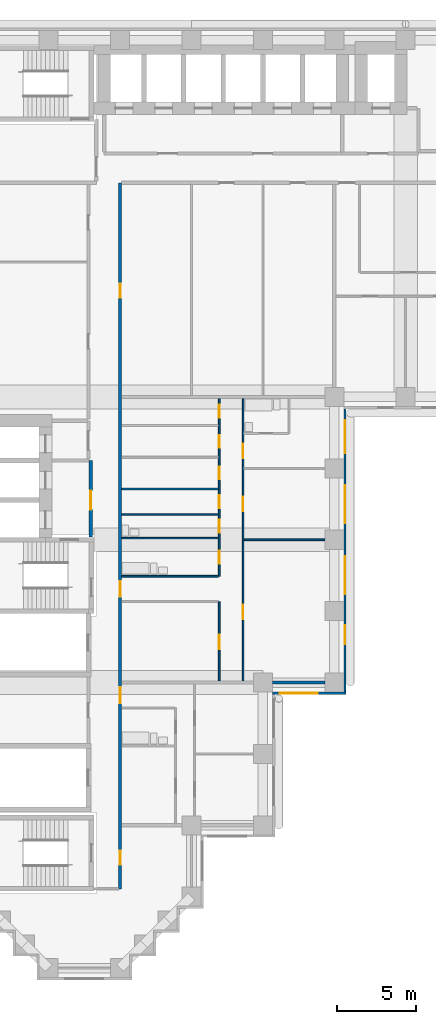
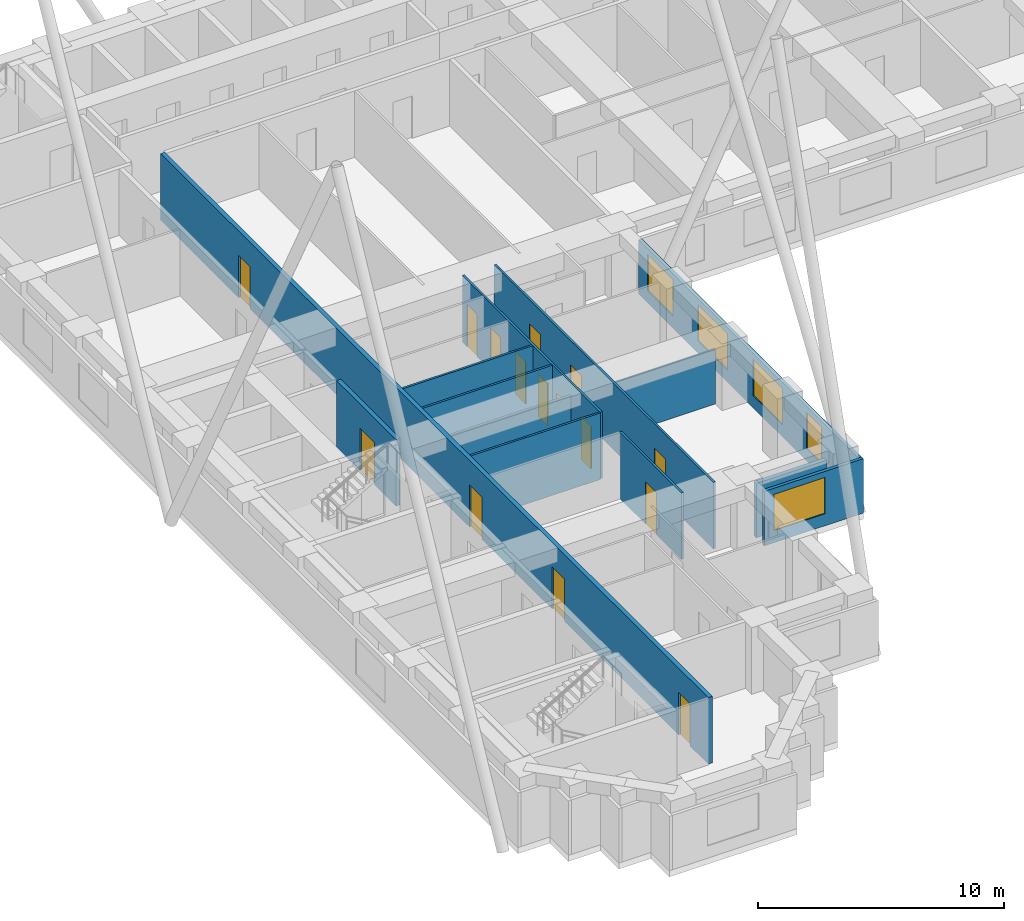
# One storey, part 4 of 12: 15 doors, 13 walls, 5 windows, 20 openings.
"""IFC4 building model written with IfcOpenShell, lengths in metres."""

from ifc_helpers import new_model, si_unit, direction, frame, frame_2d, origin, place, context, subcontext, project, spatial, rectangle, extrude, material, layer, layer_set, type_object, element, fill, save


model = new_model("IFC4")

# Units and contexts
model_context = context("Model", 3, precision=1e-05, world=origin(), true_north=direction((0.0, 1.0)))
body_context = subcontext(model_context, "Body", "Model", "MODEL_VIEW")
ifc_project = project(units=[si_unit("LENGTHUNIT", "METRE"), si_unit("AREAUNIT", "SQUARE_METRE"), si_unit("VOLUMEUNIT", "CUBIC_METRE"), si_unit("PLANEANGLEUNIT", "RADIAN"), si_unit("MASSUNIT", "GRAM", prefix="KILO")], contexts=[model_context])

# Site, building, storey
site_placement = place(None, origin())
site = spatial("IfcSite", under=ifc_project, at=site_placement, CompositionType="ELEMENT")
building_placement = place(site_placement, origin())
building = spatial("IfcBuilding", under=site, at=building_placement, Name="Firuza Court", CompositionType="ELEMENT")
storey_placement = place(building_placement, frame((0.0, 0.0, 93.800048828125)))
storey = spatial("IfcBuildingStorey", under=building, at=storey_placement, Name="L23", CompositionType="ELEMENT", Elevation=93.800048828125)

# Walls
ifc_material_1 = material(Name="Moisture-resistant gypsum board partition")
ifc_layer_1 = layer(ifc_material_1, 0.10009765625)
ifc_layer_set_1 = layer_set([ifc_layer_1], Name="Moisture-resistant gypsum board partition")
wall_type_1 = type_object("IfcWallType", Name="Bathroom partition 100", PredefinedType="PLUMBINGWALL", material=ifc_layer_set_1)
wall_1_placement = place(storey_placement, frame((9.10009765625, 24.699951171875, 0.0), z_axis=(0.0, 0.0, 1.0), x_axis=(1.0, 0.0, 0.0)))
element("IfcWall", 1, at=wall_1_placement, inside=storey, type_object=wall_type_1, Name="Bathroom partition 100 L23", PredefinedType="PLUMBINGWALL", context=body_context, shape_type="SweptSolid", body=[
    extrude(rectangle(XDim=6.099853515625, YDim=0.10009765625, at=frame_2d((3.0498046875, 0.0))), origin(), (0.0, 0.0, 1.0), 3.300048828125),
])
wall_2_placement = place(storey_placement, frame((9.10009765625, 27.10009765625, 0.0), z_axis=(0.0, 0.0, 1.0), x_axis=(1.0, 0.0, 0.0)))
element("IfcWall", 2, at=wall_2_placement, inside=storey, type_object=wall_type_1, Name="Bathroom partition 100 L23", PredefinedType="PLUMBINGWALL", context=body_context, shape_type="SweptSolid", body=[
    extrude(rectangle(XDim=6.099853515625, YDim=0.10009765625, at=frame_2d((3.0498046875, 0.0))), origin(), (0.0, 0.0, 1.0), 2.699951171875),
])
wall_3_placement = place(storey_placement, frame((9.10009765625, 28.60009765625, 0.0), z_axis=(0.0, 0.0, 1.0), x_axis=(1.0, 0.0, 0.0)))
element("IfcWall", 3, at=wall_3_placement, inside=storey, type_object=wall_type_1, Name="Bathroom partition 100 L23", PredefinedType="PLUMBINGWALL", context=body_context, shape_type="SweptSolid", body=[
    extrude(rectangle(XDim=6.099853515625, YDim=0.10009765625, at=frame_2d((3.0498046875, 0.0))), origin(), (0.0, 0.0, 1.0), 3.300048828125),
])

# Wall, openings, doors
ifc_material_2 = material(Name="Blockwork, plastered both sides", Category="masonry")
ifc_layer_2 = layer(ifc_material_2, 0.199951171875)
ifc_layer_set_2 = layer_set([ifc_layer_2], Name="Blockwork, plastered both sides")
wall_type_2 = type_object("IfcWallType", Name="Corridor wall 200", PredefinedType="PARTITIONING", material=ifc_layer_set_2)
wall_4_placement = place(storey_placement, frame((9.0, 5.0, 0.0), z_axis=(0.0, 0.0, 1.0), x_axis=(0.0, 1.0, 0.0)))
wall_4 = element("IfcWall", 4, at=wall_4_placement, inside=storey, type_object=wall_type_2, Name="Corridor wall 200 L23", PredefinedType="PARTITIONING", context=body_context, shape_type="SweptSolid", body=[
    extrude(rectangle(XDim=44.5, YDim=0.199951171875, at=frame_2d((22.25, 0.0))), origin(), (0.0, 0.0, 1.0), 3.300048828125),
])
opening_1_placement = place(wall_4_placement, frame((18.39990234375, 0.0, 0.0)))
opening_1 = element("IfcOpeningElement", 5, at=opening_1_placement, cuts=wall_4, Name="Opening D23019", PredefinedType="OPENING", context=body_context, shape_type="SweptSolid", body=[
    extrude(rectangle(XDim=1.0, YDim=2.10009765625, at=frame_2d((0.5, 1.050048828125))), frame((0.0, 0.11181640625, 0.0), z_axis=(0.0, -1.0, 0.0), x_axis=(1.0, 0.0, 0.0)), (0.0, 0.0, 1.0), 0.223876953125),
])
opening_2_placement = place(wall_4_placement, frame((11.699951171875, 0.0, 0.0)))
opening_2 = element("IfcOpeningElement", 6, at=opening_2_placement, cuts=wall_4, Name="Opening D23020", PredefinedType="OPENING", context=body_context, shape_type="SweptSolid", body=[
    extrude(rectangle(XDim=1.0, YDim=2.10009765625, at=frame_2d((0.5, 1.050048828125))), frame((0.0, 0.11181640625, 0.0), z_axis=(0.0, -1.0, 0.0), x_axis=(1.0, 0.0, 0.0)), (0.0, 0.0, 1.0), 0.223876953125),
])
opening_3_placement = place(wall_4_placement, frame((37.25, 0.0, 0.0)))
opening_3 = element("IfcOpeningElement", 7, at=opening_3_placement, cuts=wall_4, Name="Opening D23021", PredefinedType="OPENING", context=body_context, shape_type="SweptSolid", body=[
    extrude(rectangle(XDim=0.89990234375, YDim=2.10009765625, at=frame_2d((0.449951171875, 1.050048828125))), frame((0.0, 0.11181640625, 0.0), z_axis=(0.0, -1.0, 0.0), x_axis=(1.0, 0.0, 0.0)), (0.0, 0.0, 1.0), 0.223876953125),
])
opening_4_placement = place(wall_4_placement, frame((1.5, 0.0, 0.0)))
opening_4 = element("IfcOpeningElement", 8, at=opening_4_placement, cuts=wall_4, Name="Opening D23022", PredefinedType="OPENING", context=body_context, shape_type="SweptSolid", body=[
    extrude(rectangle(XDim=0.89990234375, YDim=2.10009765625, at=frame_2d((0.449951171875, 1.050048828125))), frame((0.0, 0.11181640625, 0.0), z_axis=(0.0, -1.0, 0.0), x_axis=(1.0, 0.0, 0.0)), (0.0, 0.0, 1.0), 0.223876953125),
])
ifc_material_3 = material(Name="Timber door leaf in hardwood frame", Category="wood")
door_type_1 = type_object("IfcDoorType", Name="Flat entrance door 1000", OperationType="SINGLE_SWING_LEFT", PredefinedType="DOOR", material=ifc_material_3)
door_1_placement = place(opening_1_placement, origin())
door_1 = element("IfcDoor", 9, at=door_1_placement, inside=storey, type_object=door_type_1, Name="Flat entrance door", OperationType="SINGLE_SWING_LEFT", OverallHeight=2.10009765625, OverallWidth=1.0, PredefinedType="DOOR", context=body_context, shape_type="SweptSolid", body=[
    extrude(rectangle(XDim=1.0, YDim=2.10009765625, at=frame_2d((0.5, 1.050048828125))), frame((0.0, 0.02490234375, 0.0), z_axis=(0.0, -1.0, 0.0), x_axis=(1.0, 0.0, 0.0)), (0.0, 0.0, 1.0), 0.050048828125),
])
fill(opening_1, door_1)
door_2_placement = place(opening_2_placement, origin())
door_2 = element("IfcDoor", 10, at=door_2_placement, inside=storey, type_object=door_type_1, Name="Flat entrance door", OperationType="SINGLE_SWING_LEFT", OverallHeight=2.10009765625, OverallWidth=1.0, PredefinedType="DOOR", context=body_context, shape_type="SweptSolid", body=[
    extrude(rectangle(XDim=1.0, YDim=2.10009765625, at=frame_2d((0.5, 1.050048828125))), frame((0.0, 0.02490234375, 0.0), z_axis=(0.0, -1.0, 0.0), x_axis=(1.0, 0.0, 0.0)), (0.0, 0.0, 1.0), 0.050048828125),
])
fill(opening_2, door_2)
ifc_material_4 = material(Name="Timber door leaf in hardwood frame", Category="wood")
door_type_2 = type_object("IfcDoorType", Name="Room door 900 EI 30", OperationType="SINGLE_SWING_LEFT", PredefinedType="DOOR", material=ifc_material_4)
door_3_placement = place(opening_3_placement, origin())
door_3 = element("IfcDoor", 11, at=door_3_placement, inside=storey, type_object=door_type_2, Name="Yoga studio door", OperationType="SINGLE_SWING_LEFT", OverallHeight=2.10009765625, OverallWidth=0.89990234375, PredefinedType="DOOR", context=body_context, shape_type="SweptSolid", body=[
    extrude(rectangle(XDim=0.89990234375, YDim=2.10009765625, at=frame_2d((0.449951171875, 1.050048828125))), frame((0.0, 0.02490234375, 0.0), z_axis=(0.0, -1.0, 0.0), x_axis=(1.0, 0.0, 0.0)), (0.0, 0.0, 1.0), 0.050048828125),
])
fill(opening_3, door_3)
door_4_placement = place(opening_4_placement, origin())
door_4 = element("IfcDoor", 12, at=door_4_placement, inside=storey, type_object=door_type_2, Name="Residents' lounge door", OperationType="SINGLE_SWING_LEFT", OverallHeight=2.10009765625, OverallWidth=0.89990234375, PredefinedType="DOOR", context=body_context, shape_type="SweptSolid", body=[
    extrude(rectangle(XDim=0.89990234375, YDim=2.10009765625, at=frame_2d((0.449951171875, 1.050048828125))), frame((0.0, 0.02490234375, 0.0), z_axis=(0.0, -1.0, 0.0), x_axis=(1.0, 0.0, 0.0)), (0.0, 0.0, 1.0), 0.050048828125),
])
fill(opening_4, door_4)

# Wall, opening, door
ifc_material_5 = material(Name="Timber stud partition, plasterboard both sides", Category="wood")
ifc_layer_3 = layer(ifc_material_5, 0.10009765625)
ifc_layer_set_3 = layer_set([ifc_layer_3], Name="Timber stud partition, plasterboard both sides")
wall_type_3 = type_object("IfcWallType", Name="Partition wall 100", PredefinedType="PARTITIONING", material=ifc_layer_set_3)
wall_5_placement = place(storey_placement, frame((15.25, 18.10009765625, 0.0), z_axis=(0.0, 0.0, 1.0), x_axis=(0.0, 1.0, 0.0)))
wall_5 = element("IfcWall", 13, at=wall_5_placement, inside=storey, type_object=wall_type_3, Name="Partition wall 100 L23", PredefinedType="PARTITIONING", context=body_context, shape_type="SweptSolid", body=[
    extrude(rectangle(XDim=5.0, YDim=0.10009765625, at=frame_2d((2.5, 0.0))), origin(), (0.0, 0.0, 1.0), 3.300048828125),
])
opening_5_placement = place(wall_5_placement, frame((2.0, 0.0, 0.0)))
opening_5 = element("IfcOpeningElement", 14, at=opening_5_placement, cuts=wall_5, Name="Opening D23028", PredefinedType="OPENING", context=body_context, shape_type="SweptSolid", body=[
    extrude(rectangle(XDim=0.89990234375, YDim=2.10009765625, at=frame_2d((0.449951171875, 1.050048828125))), frame((0.0, 0.06201171875, 0.0), z_axis=(0.0, -1.0, 0.0), x_axis=(1.0, 0.0, 0.0)), (0.0, 0.0, 1.0), 0.1240234375),
])
ifc_material_6 = material(Name="Timber door leaf in hardwood frame", Category="wood")
door_type_3 = type_object("IfcDoorType", Name="Room door 900", OperationType="SINGLE_SWING_LEFT", PredefinedType="DOOR", material=ifc_material_6)
door_5_placement = place(opening_5_placement, origin())
door_5 = element("IfcDoor", 15, at=door_5_placement, inside=storey, type_object=door_type_3, Name="Kitchen door", OperationType="SINGLE_SWING_LEFT", OverallHeight=2.10009765625, OverallWidth=0.89990234375, PredefinedType="DOOR", context=body_context, shape_type="SweptSolid", body=[
    extrude(rectangle(XDim=0.89990234375, YDim=2.10009765625, at=frame_2d((0.449951171875, 1.050048828125))), frame((0.0, 0.02490234375, 0.0), z_axis=(0.0, -1.0, 0.0), x_axis=(1.0, 0.0, 0.0)), (0.0, 0.0, 1.0), 0.050048828125),
])
fill(opening_5, door_5)

# Wall, openings, doors
wall_6_placement = place(storey_placement, frame((16.75, 18.10009765625, 0.0), z_axis=(0.0, 0.0, 1.0), x_axis=(0.0, 1.0, 0.0)))
wall_6 = element("IfcWall", 16, at=wall_6_placement, inside=storey, type_object=wall_type_3, Name="Partition wall 100 L23", PredefinedType="PARTITIONING", context=body_context, shape_type="SweptSolid", body=[
    extrude(rectangle(XDim=17.7998046875, YDim=0.10009765625, at=frame_2d((8.89990234375, 0.0))), origin(), (0.0, 0.0, 1.0), 3.300048828125),
])
opening_6_placement = place(wall_6_placement, frame((3.89990234375, 0.0, 0.0)))
opening_6 = element("IfcOpeningElement", 17, at=opening_6_placement, cuts=wall_6, Name="Opening D23029", PredefinedType="OPENING", context=body_context, shape_type="SweptSolid", body=[
    extrude(rectangle(XDim=0.89990234375, YDim=2.10009765625, at=frame_2d((0.449951171875, 1.050048828125))), frame((0.0, 0.06201171875, 0.0), z_axis=(0.0, -1.0, 0.0), x_axis=(1.0, 0.0, 0.0)), (0.0, 0.0, 1.0), 0.1240234375),
])
opening_7_placement = place(wall_6_placement, frame((10.699951171875, 0.0, 0.0)))
opening_7 = element("IfcOpeningElement", 18, at=opening_7_placement, cuts=wall_6, Name="Opening D23030", PredefinedType="OPENING", context=body_context, shape_type="SweptSolid", body=[
    extrude(rectangle(XDim=0.89990234375, YDim=2.10009765625, at=frame_2d((0.449951171875, 1.050048828125))), frame((0.0, 0.06201171875, 0.0), z_axis=(0.0, -1.0, 0.0), x_axis=(1.0, 0.0, 0.0)), (0.0, 0.0, 1.0), 0.1240234375),
])
opening_8_placement = place(wall_6_placement, frame((14.050048828125, 0.0, 0.0)))
opening_8 = element("IfcOpeningElement", 19, at=opening_8_placement, cuts=wall_6, Name="Opening D23031", PredefinedType="OPENING", context=body_context, shape_type="SweptSolid", body=[
    extrude(rectangle(XDim=0.89990234375, YDim=2.10009765625, at=frame_2d((0.449951171875, 1.050048828125))), frame((0.0, 0.06201171875, 0.0), z_axis=(0.0, -1.0, 0.0), x_axis=(1.0, 0.0, 0.0)), (0.0, 0.0, 1.0), 0.1240234375),
])
door_6_placement = place(opening_6_placement, frame((0.89990234375, 0.0, 0.0), z_axis=(0.0, 0.0, 1.0), x_axis=(-1.0, 0.0, 0.0)))
door_6 = element("IfcDoor", 20, at=door_6_placement, inside=storey, type_object=door_type_3, Name="Living room door", OperationType="SINGLE_SWING_RIGHT", OverallHeight=2.10009765625, OverallWidth=0.89990234375, PredefinedType="DOOR", context=body_context, shape_type="SweptSolid", body=[
    extrude(rectangle(XDim=0.89990234375, YDim=2.10009765625, at=frame_2d((0.449951171875, 1.050048828125))), frame((0.0, 0.02490234375, 0.0), z_axis=(0.0, -1.0, 0.0), x_axis=(1.0, 0.0, 0.0)), (0.0, 0.0, 1.0), 0.050048828125),
])
fill(opening_6, door_6)
door_7_placement = place(opening_7_placement, frame((0.89990234375, 0.0, 0.0), z_axis=(0.0, 0.0, 1.0), x_axis=(-1.0, 0.0, 0.0)))
door_7 = element("IfcDoor", 21, at=door_7_placement, inside=storey, type_object=door_type_3, Name="Bedroom door", OperationType="SINGLE_SWING_RIGHT", OverallHeight=2.10009765625, OverallWidth=0.89990234375, PredefinedType="DOOR", context=body_context, shape_type="SweptSolid", body=[
    extrude(rectangle(XDim=0.89990234375, YDim=2.10009765625, at=frame_2d((0.449951171875, 1.050048828125))), frame((0.0, 0.02490234375, 0.0), z_axis=(0.0, -1.0, 0.0), x_axis=(1.0, 0.0, 0.0)), (0.0, 0.0, 1.0), 0.050048828125),
])
fill(opening_7, door_7)
door_8_placement = place(opening_8_placement, frame((0.89990234375, 0.0, 0.0), z_axis=(0.0, 0.0, 1.0), x_axis=(-1.0, 0.0, 0.0)))
door_8 = element("IfcDoor", 22, at=door_8_placement, inside=storey, type_object=door_type_3, Name="Bedroom door", OperationType="SINGLE_SWING_RIGHT", OverallHeight=2.10009765625, OverallWidth=0.89990234375, PredefinedType="DOOR", context=body_context, shape_type="SweptSolid", body=[
    extrude(rectangle(XDim=0.89990234375, YDim=2.10009765625, at=frame_2d((0.449951171875, 1.050048828125))), frame((0.0, 0.02490234375, 0.0), z_axis=(0.0, -1.0, 0.0), x_axis=(1.0, 0.0, 0.0)), (0.0, 0.0, 1.0), 0.050048828125),
])
fill(opening_8, door_8)

wall_7_placement = place(storey_placement, frame((15.25, 24.699951171875, 0.0), z_axis=(0.0, 0.0, 1.0), x_axis=(0.0, 1.0, 0.0)))
wall_7 = element("IfcWall", 23, at=wall_7_placement, inside=storey, type_object=wall_type_3, Name="Partition wall 100 L23", PredefinedType="PARTITIONING", context=body_context, shape_type="SweptSolid", body=[
    extrude(rectangle(XDim=11.199951171875, YDim=0.10009765625, at=frame_2d((5.60009765625, 0.0))), origin(), (0.0, 0.0, 1.0), 3.300048828125),
])
opening_9_placement = place(wall_7_placement, frame((0.800048828125, 0.0, 0.0)))
opening_9 = element("IfcOpeningElement", 24, at=opening_9_placement, cuts=wall_7, Name="Opening D23032", PredefinedType="OPENING", context=body_context, shape_type="SweptSolid", body=[
    extrude(rectangle(XDim=0.800048828125, YDim=2.10009765625, at=frame_2d((0.39990234375, 1.050048828125))), frame((0.0, 0.06201171875, 0.0), z_axis=(0.0, -1.0, 0.0), x_axis=(1.0, 0.0, 0.0)), (0.0, 0.0, 1.0), 0.1240234375),
])
opening_10_placement = place(wall_7_placement, frame((8.10009765625, 0.0, 0.0)))
opening_10 = element("IfcOpeningElement", 25, at=opening_10_placement, cuts=wall_7, Name="Opening D23033", PredefinedType="OPENING", context=body_context, shape_type="SweptSolid", body=[
    extrude(rectangle(XDim=0.800048828125, YDim=2.10009765625, at=frame_2d((0.39990234375, 1.050048828125))), frame((0.0, 0.06201171875, 0.0), z_axis=(0.0, -1.0, 0.0), x_axis=(1.0, 0.0, 0.0)), (0.0, 0.0, 1.0), 0.1240234375),
])
opening_11_placement = place(wall_7_placement, frame((4.300048828125, 0.0, 0.0)))
opening_11 = element("IfcOpeningElement", 26, at=opening_11_placement, cuts=wall_7, Name="Opening D23034", PredefinedType="OPENING", context=body_context, shape_type="SweptSolid", body=[
    extrude(rectangle(XDim=0.800048828125, YDim=2.10009765625, at=frame_2d((0.39990234375, 1.050048828125))), frame((0.0, 0.06201171875, 0.0), z_axis=(0.0, -1.0, 0.0), x_axis=(1.0, 0.0, 0.0)), (0.0, 0.0, 1.0), 0.1240234375),
])
opening_12_placement = place(wall_7_placement, frame((6.10009765625, 0.0, 0.0)))
opening_12 = element("IfcOpeningElement", 27, at=opening_12_placement, cuts=wall_7, Name="Opening D23035", PredefinedType="OPENING", context=body_context, shape_type="SweptSolid", body=[
    extrude(rectangle(XDim=0.800048828125, YDim=2.10009765625, at=frame_2d((0.39990234375, 1.050048828125))), frame((0.0, 0.06201171875, 0.0), z_axis=(0.0, -1.0, 0.0), x_axis=(1.0, 0.0, 0.0)), (0.0, 0.0, 1.0), 0.1240234375),
])
opening_13_placement = place(wall_7_placement, frame((10.0, 0.0, 0.0)))
opening_13 = element("IfcOpeningElement", 28, at=opening_13_placement, cuts=wall_7, Name="Opening D23036", PredefinedType="OPENING", context=body_context, shape_type="SweptSolid", body=[
    extrude(rectangle(XDim=0.800048828125, YDim=2.10009765625, at=frame_2d((0.39990234375, 1.050048828125))), frame((0.0, 0.06201171875, 0.0), z_axis=(0.0, -1.0, 0.0), x_axis=(1.0, 0.0, 0.0)), (0.0, 0.0, 1.0), 0.1240234375),
])
opening_14_placement = place(wall_7_placement, frame((2.75, 0.0, 0.0)))
opening_14 = element("IfcOpeningElement", 29, at=opening_14_placement, cuts=wall_7, Name="Opening D23037", PredefinedType="OPENING", context=body_context, shape_type="SweptSolid", body=[
    extrude(rectangle(XDim=0.800048828125, YDim=2.10009765625, at=frame_2d((0.39990234375, 1.050048828125))), frame((0.0, 0.06201171875, 0.0), z_axis=(0.0, -1.0, 0.0), x_axis=(1.0, 0.0, 0.0)), (0.0, 0.0, 1.0), 0.1240234375),
])
ifc_material_7 = material(Name="Timber door leaf in hardwood frame", Category="wood")
door_type_4 = type_object("IfcDoorType", Name="Bathroom door 800", OperationType="SINGLE_SWING_LEFT", PredefinedType="DOOR", material=ifc_material_7)
door_9_placement = place(opening_9_placement, origin())
door_9 = element("IfcDoor", 30, at=door_9_placement, inside=storey, type_object=door_type_4, Name="Bathroom door", OperationType="SINGLE_SWING_LEFT", OverallHeight=2.10009765625, OverallWidth=0.800048828125, PredefinedType="DOOR", context=body_context, shape_type="SweptSolid", body=[
    extrude(rectangle(XDim=0.800048828125, YDim=2.10009765625, at=frame_2d((0.39990234375, 1.050048828125))), frame((0.0, 0.02490234375, 0.0), z_axis=(0.0, -1.0, 0.0), x_axis=(1.0, 0.0, 0.0)), (0.0, 0.0, 1.0), 0.050048828125),
])
fill(opening_9, door_9)
door_10_placement = place(opening_14_placement, origin())
door_10 = element("IfcDoor", 31, at=door_10_placement, inside=storey, type_object=door_type_4, Name="Powder room door", OperationType="SINGLE_SWING_LEFT", OverallHeight=2.10009765625, OverallWidth=0.800048828125, PredefinedType="DOOR", context=body_context, shape_type="SweptSolid", body=[
    extrude(rectangle(XDim=0.800048828125, YDim=2.10009765625, at=frame_2d((0.39990234375, 1.050048828125))), frame((0.0, 0.02490234375, 0.0), z_axis=(0.0, -1.0, 0.0), x_axis=(1.0, 0.0, 0.0)), (0.0, 0.0, 1.0), 0.050048828125),
])
fill(opening_14, door_10)
ifc_material_8 = material(Name="Timber door leaf in hardwood frame", Category="wood")
door_type_5 = type_object("IfcDoorType", Name="Room door 800", OperationType="SINGLE_SWING_LEFT", PredefinedType="DOOR", material=ifc_material_8)
door_11_placement = place(opening_10_placement, origin())
door_11 = element("IfcDoor", 32, at=door_11_placement, inside=storey, type_object=door_type_5, Name="Pantry door", OperationType="SINGLE_SWING_LEFT", OverallHeight=2.10009765625, OverallWidth=0.800048828125, PredefinedType="DOOR", context=body_context, shape_type="SweptSolid", body=[
    extrude(rectangle(XDim=0.800048828125, YDim=2.10009765625, at=frame_2d((0.39990234375, 1.050048828125))), frame((0.0, 0.02490234375, 0.0), z_axis=(0.0, -1.0, 0.0), x_axis=(1.0, 0.0, 0.0)), (0.0, 0.0, 1.0), 0.050048828125),
])
fill(opening_10, door_11)
door_12_placement = place(opening_11_placement, origin())
door_12 = element("IfcDoor", 33, at=door_12_placement, inside=storey, type_object=door_type_5, Name="Store door", OperationType="SINGLE_SWING_LEFT", OverallHeight=2.10009765625, OverallWidth=0.800048828125, PredefinedType="DOOR", context=body_context, shape_type="SweptSolid", body=[
    extrude(rectangle(XDim=0.800048828125, YDim=2.10009765625, at=frame_2d((0.39990234375, 1.050048828125))), frame((0.0, 0.02490234375, 0.0), z_axis=(0.0, -1.0, 0.0), x_axis=(1.0, 0.0, 0.0)), (0.0, 0.0, 1.0), 0.050048828125),
])
fill(opening_11, door_12)
door_13_placement = place(opening_12_placement, origin())
door_13 = element("IfcDoor", 34, at=door_13_placement, inside=storey, type_object=door_type_5, Name="Utility room door", OperationType="SINGLE_SWING_LEFT", OverallHeight=2.10009765625, OverallWidth=0.800048828125, PredefinedType="DOOR", context=body_context, shape_type="SweptSolid", body=[
    extrude(rectangle(XDim=0.800048828125, YDim=2.10009765625, at=frame_2d((0.39990234375, 1.050048828125))), frame((0.0, 0.02490234375, 0.0), z_axis=(0.0, -1.0, 0.0), x_axis=(1.0, 0.0, 0.0)), (0.0, 0.0, 1.0), 0.050048828125),
])
fill(opening_12, door_13)
door_14_placement = place(opening_13_placement, origin())
door_14 = element("IfcDoor", 35, at=door_14_placement, inside=storey, type_object=door_type_5, Name="Walk-in wardrobe door", OperationType="SINGLE_SWING_LEFT", OverallHeight=2.10009765625, OverallWidth=0.800048828125, PredefinedType="DOOR", context=body_context, shape_type="SweptSolid", body=[
    extrude(rectangle(XDim=0.800048828125, YDim=2.10009765625, at=frame_2d((0.39990234375, 1.050048828125))), frame((0.0, 0.02490234375, 0.0), z_axis=(0.0, -1.0, 0.0), x_axis=(1.0, 0.0, 0.0)), (0.0, 0.0, 1.0), 0.050048828125),
])
fill(opening_13, door_14)

# Walls
wall_8_placement = place(storey_placement, frame((16.800048828125, 27.0, 0.0), z_axis=(0.0, 0.0, 1.0), x_axis=(1.0, 0.0, 0.0)))
element("IfcWall", 36, at=wall_8_placement, inside=storey, type_object=wall_type_3, Name="Partition wall 100 L23", PredefinedType="PARTITIONING", context=body_context, shape_type="SweptSolid", body=[
    extrude(rectangle(XDim=5.099853515625, YDim=0.10009765625, at=frame_2d((2.5498046875, 0.0))), origin(), (0.0, 0.0, 1.0), 2.699951171875),
])
wall_9_placement = place(storey_placement, frame((9.10009765625, 30.199951171875, 0.0), z_axis=(0.0, 0.0, 1.0), x_axis=(1.0, 0.0, 0.0)))
element("IfcWall", 37, at=wall_9_placement, inside=storey, type_object=wall_type_3, Name="Partition wall 100 L23", PredefinedType="PARTITIONING", context=body_context, shape_type="SweptSolid", body=[
    extrude(rectangle(XDim=6.099853515625, YDim=0.10009765625, at=frame_2d((3.0498046875, 0.0))), origin(), (0.0, 0.0, 1.0), 3.300048828125),
])
ifc_layer_4 = layer(ifc_material_2, 0.199951171875)
ifc_layer_set_4 = layer_set([ifc_layer_4], Name="Blockwork, plastered both sides")
wall_type_4 = type_object("IfcWallType", Name="Party wall 200", PredefinedType="PARTITIONING", material=ifc_layer_set_4)
wall_10_placement = place(storey_placement, frame((18.60009765625, 18.0, 0.0), z_axis=(0.0, 0.0, 1.0), x_axis=(1.0, 0.0, 0.0)))
element("IfcWall", 38, at=wall_10_placement, inside=storey, type_object=wall_type_4, Name="Party wall 200 L23", PredefinedType="PARTITIONING", context=body_context, shape_type="SweptSolid", body=[
    extrude(rectangle(XDim=3.2998046875, YDim=0.199951171875, at=frame_2d((1.64990234375, 0.0))), origin(), (0.0, 0.0, 1.0), 2.699951171875),
])

# Wall, opening, window
ifc_material_9 = material(Name="Ceramic tile", Category="ceramic")
ifc_layer_5 = layer(ifc_material_9, 0.02001953125)
ifc_material_10 = material(Name="Mineral wool insulation", Category="insulation")
ifc_layer_6 = layer(ifc_material_10, 0.050048828125)
ifc_material_11 = material(Name="Concrete C40/50 precast", Category="concrete")
ifc_layer_7 = layer(ifc_material_11, 0.080078125)
ifc_layer_set_5 = layer_set([ifc_layer_5, ifc_layer_6, ifc_layer_7], Name="Concrete C40/50 precast")
wall_type_5 = type_object("IfcWallType", Name="Precast cladding wall with turquoise TILE PANEL face 150", PredefinedType="STANDARD", material=ifc_layer_set_5)
wall_11_placement = place(storey_placement, frame((18.60009765625, 17.324951171875, 0.0), z_axis=(0.0, 0.0, 1.0), x_axis=(1.0, 0.0, 0.0)))
wall_11 = element("IfcWall", 39, at=wall_11_placement, inside=storey, type_object=wall_type_5, Name="Facade wall L23 S", PredefinedType="STANDARD", context=body_context, shape_type="SweptSolid", body=[
    extrude(rectangle(XDim=4.64990234375, YDim=0.14990234375, at=frame_2d((2.324951171875, 0.0))), origin(), (0.0, 0.0, 1.0), 2.699951171875),
])
opening_15_placement = place(wall_11_placement, frame((0.449951171875, 0.0, 0.60009765625)))
opening_15 = element("IfcOpeningElement", 40, at=opening_15_placement, cuts=wall_11, Name="Opening W1", PredefinedType="OPENING", context=body_context, shape_type="SweptSolid", body=[
    extrude(rectangle(XDim=2.39990234375, YDim=1.800048828125, at=frame_2d((1.199951171875, 0.89990234375))), frame((0.0, 0.0869140625, 0.0), z_axis=(0.0, -1.0, 0.0), x_axis=(1.0, 0.0, 0.0)), (0.0, 0.0, 1.0), 0.173828125),
])
ifc_material_12 = material(Name="Aluminium frame, triple clear glazing", Category="aluminium")
window_type_1 = type_object("IfcWindowType", Name="Window W1 2400 x 1800", PartitioningType="SINGLE_PANEL", PredefinedType="WINDOW", material=ifc_material_12)
window_1_placement = place(opening_15_placement, origin())
window_1 = element("IfcWindow", 41, at=window_1_placement, inside=storey, type_object=window_type_1, Name="Window L23", OverallHeight=1.800048828125, OverallWidth=2.39990234375, PartitioningType="SINGLE_PANEL", PredefinedType="WINDOW", context=body_context, shape_type="SweptSolid", body=[
    extrude(rectangle(XDim=2.39990234375, YDim=1.800048828125, at=frame_2d((1.199951171875, 0.89990234375))), frame((0.0, 0.030029296875, 0.0), z_axis=(0.0, -1.0, 0.0), x_axis=(1.0, 0.0, 0.0)), (0.0, 0.0, 1.0), 0.06005859375),
])
fill(opening_15, window_1)

# Wall, openings, windows
wall_12_placement = place(storey_placement, frame((23.175048828125, 17.39990234375, 0.0), z_axis=(0.0, 0.0, 1.0), x_axis=(0.0, 1.0, 0.0)))
wall_12 = element("IfcWall", 42, at=wall_12_placement, inside=storey, type_object=wall_type_5, Name="Facade wall L23 E", PredefinedType="STANDARD", context=body_context, shape_type="SweptSolid", body=[
    extrude(rectangle(XDim=17.85009765625, YDim=0.14990234375, at=frame_2d((8.925048828125, 0.0))), origin(), (0.0, 0.0, 1.0), 2.699951171875),
])
opening_16_placement = place(wall_12_placement, frame((2.99853515625, 0.0, 0.60009765625)))
opening_16 = element("IfcOpeningElement", 43, at=opening_16_placement, cuts=wall_12, Name="Opening W8", PredefinedType="OPENING", context=body_context, shape_type="SweptSolid", body=[
    extrude(rectangle(XDim=1.199951171875, YDim=1.800048828125, at=frame_2d((0.60009765625, 0.89990234375))), frame((0.0, 0.0869140625, 0.0), z_axis=(0.0, -1.0, 0.0), x_axis=(1.0, 0.0, 0.0)), (0.0, 0.0, 1.0), 0.173828125),
])
opening_17_placement = place(wall_12_placement, frame((6.14990234375, 0.0, 0.60009765625)))
opening_17 = element("IfcOpeningElement", 44, at=opening_17_placement, cuts=wall_12, Name="Opening W1", PredefinedType="OPENING", context=body_context, shape_type="SweptSolid", body=[
    extrude(rectangle(XDim=2.39990234375, YDim=1.800048828125, at=frame_2d((1.199951171875, 0.89990234375))), frame((0.0, 0.0869140625, 0.0), z_axis=(0.0, -1.0, 0.0), x_axis=(1.0, 0.0, 0.0)), (0.0, 0.0, 1.0), 0.173828125),
])
opening_18_placement = place(wall_12_placement, frame((10.64990234375, 0.0, 0.60009765625)))
opening_18 = element("IfcOpeningElement", 45, at=opening_18_placement, cuts=wall_12, Name="Opening W1", PredefinedType="OPENING", context=body_context, shape_type="SweptSolid", body=[
    extrude(rectangle(XDim=2.39990234375, YDim=1.800048828125, at=frame_2d((1.199951171875, 0.89990234375))), frame((0.0, 0.0869140625, 0.0), z_axis=(0.0, -1.0, 0.0), x_axis=(1.0, 0.0, 0.0)), (0.0, 0.0, 1.0), 0.173828125),
])
opening_19_placement = place(wall_12_placement, frame((15.04345703125, 0.0, 0.60009765625)))
opening_19 = element("IfcOpeningElement", 46, at=opening_19_placement, cuts=wall_12, Name="Opening W6", PredefinedType="OPENING", context=body_context, shape_type="SweptSolid", body=[
    extrude(rectangle(XDim=2.10009765625, YDim=1.800048828125, at=frame_2d((1.050048828125, 0.89990234375))), frame((0.0, 0.0869140625, 0.0), z_axis=(0.0, -1.0, 0.0), x_axis=(1.0, 0.0, 0.0)), (0.0, 0.0, 1.0), 0.173828125),
])
window_2_placement = place(opening_17_placement, origin())
window_2 = element("IfcWindow", 47, at=window_2_placement, inside=storey, type_object=window_type_1, Name="Window L23", OverallHeight=1.800048828125, OverallWidth=2.39990234375, PartitioningType="SINGLE_PANEL", PredefinedType="WINDOW", context=body_context, shape_type="SweptSolid", body=[
    extrude(rectangle(XDim=2.39990234375, YDim=1.800048828125, at=frame_2d((1.199951171875, 0.89990234375))), frame((0.0, 0.030029296875, 0.0), z_axis=(0.0, -1.0, 0.0), x_axis=(1.0, 0.0, 0.0)), (0.0, 0.0, 1.0), 0.06005859375),
])
fill(opening_17, window_2)
window_3_placement = place(opening_18_placement, origin())
window_3 = element("IfcWindow", 48, at=window_3_placement, inside=storey, type_object=window_type_1, Name="Window L23", OverallHeight=1.800048828125, OverallWidth=2.39990234375, PartitioningType="SINGLE_PANEL", PredefinedType="WINDOW", context=body_context, shape_type="SweptSolid", body=[
    extrude(rectangle(XDim=2.39990234375, YDim=1.800048828125, at=frame_2d((1.199951171875, 0.89990234375))), frame((0.0, 0.030029296875, 0.0), z_axis=(0.0, -1.0, 0.0), x_axis=(1.0, 0.0, 0.0)), (0.0, 0.0, 1.0), 0.06005859375),
])
fill(opening_18, window_3)
ifc_material_13 = material(Name="Aluminium frame, triple clear glazing", Category="aluminium")
window_type_2 = type_object("IfcWindowType", Name="Window W6 2100 x 1800", PartitioningType="SINGLE_PANEL", PredefinedType="WINDOW", material=ifc_material_13)
window_4_placement = place(opening_19_placement, origin())
window_4 = element("IfcWindow", 49, at=window_4_placement, inside=storey, type_object=window_type_2, Name="Window L23", OverallHeight=1.800048828125, OverallWidth=2.10009765625, PartitioningType="SINGLE_PANEL", PredefinedType="WINDOW", context=body_context, shape_type="SweptSolid", body=[
    extrude(rectangle(XDim=2.10009765625, YDim=1.800048828125, at=frame_2d((1.050048828125, 0.89990234375))), frame((0.0, 0.030029296875, 0.0), z_axis=(0.0, -1.0, 0.0), x_axis=(1.0, 0.0, 0.0)), (0.0, 0.0, 1.0), 0.06005859375),
])
fill(opening_19, window_4)
ifc_material_14 = material(Name="Aluminium frame, triple clear glazing", Category="aluminium")
window_type_3 = type_object("IfcWindowType", Name="Window W8 1200 x 1800", PartitioningType="SINGLE_PANEL", PredefinedType="WINDOW", material=ifc_material_14)
window_5_placement = place(opening_16_placement, origin())
window_5 = element("IfcWindow", 50, at=window_5_placement, inside=storey, type_object=window_type_3, Name="Window L23", OverallHeight=1.800048828125, OverallWidth=1.199951171875, PartitioningType="SINGLE_PANEL", PredefinedType="WINDOW", context=body_context, shape_type="SweptSolid", body=[
    extrude(rectangle(XDim=1.199951171875, YDim=1.800048828125, at=frame_2d((0.60009765625, 0.89990234375))), frame((0.0, 0.030029296875, 0.0), z_axis=(0.0, -1.0, 0.0), x_axis=(1.0, 0.0, 0.0)), (0.0, 0.0, 1.0), 0.06005859375),
])
fill(opening_16, window_5)

# Wall, opening, door
ifc_material_15 = material(Name="Blockwork, fire-rated", Category="masonry")
ifc_layer_8 = layer(ifc_material_15, 0.199951171875)
ifc_layer_set_6 = layer_set([ifc_layer_8], Name="Blockwork, fire-rated")
wall_type_6 = type_object("IfcWallType", Name="Shaft wall 200", PredefinedType="PARTITIONING", material=ifc_layer_set_6)
wall_13_placement = place(storey_placement, frame((7.14990234375, 27.169921875, 0.0), z_axis=(0.0, 0.0, 1.0), x_axis=(0.0, 1.0, 0.0)))
wall_13 = element("IfcWall", 51, at=wall_13_placement, inside=storey, type_object=wall_type_6, Name="Shaft wall 200 L23", PredefinedType="PARTITIONING", context=body_context, shape_type="SweptSolid", body=[
    extrude(rectangle(XDim=4.830078125, YDim=0.199951171875, at=frame_2d((2.4150390625, 0.0))), origin(), (0.0, 0.0, 1.0), 3.300048828125),
])
opening_20_placement = place(wall_13_placement, frame((1.72998046875, 0.0, 0.0)))
opening_20 = element("IfcOpeningElement", 52, at=opening_20_placement, cuts=wall_13, Name="Opening D23002", PredefinedType="OPENING", context=body_context, shape_type="SweptSolid", body=[
    extrude(rectangle(XDim=1.199951171875, YDim=2.10009765625, at=frame_2d((0.60009765625, 1.050048828125))), frame((0.0, 0.11181640625, 0.0), z_axis=(0.0, -1.0, 0.0), x_axis=(1.0, 0.0, 0.0)), (0.0, 0.0, 1.0), 0.223876953125),
])
ifc_material_16 = material(Name="Timber door leaf in hardwood frame", Category="wood")
door_type_6 = type_object("IfcDoorType", Name="Lobby door 1200", OperationType="SINGLE_SWING_LEFT", PredefinedType="DOOR", material=ifc_material_16)
door_15_placement = place(opening_20_placement, origin())
door_15 = element("IfcDoor", 53, at=door_15_placement, inside=storey, type_object=door_type_6, Name="Fire-fighting lobby door", OperationType="SINGLE_SWING_LEFT", OverallHeight=2.10009765625, OverallWidth=1.199951171875, PredefinedType="DOOR", context=body_context, shape_type="SweptSolid", body=[
    extrude(rectangle(XDim=1.199951171875, YDim=2.10009765625, at=frame_2d((0.60009765625, 1.050048828125))), frame((0.0, 0.02490234375, 0.0), z_axis=(0.0, -1.0, 0.0), x_axis=(1.0, 0.0, 0.0)), (0.0, 0.0, 1.0), 0.050048828125),
])
fill(opening_20, door_15)

save(model, "model.ifc")
